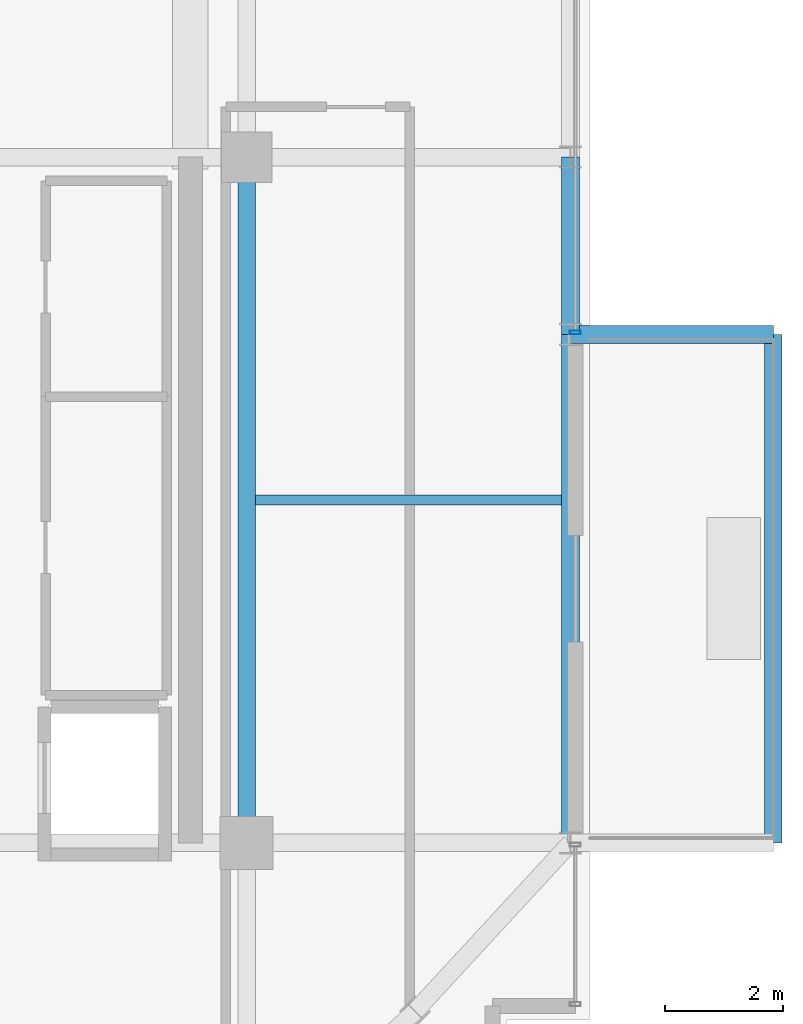
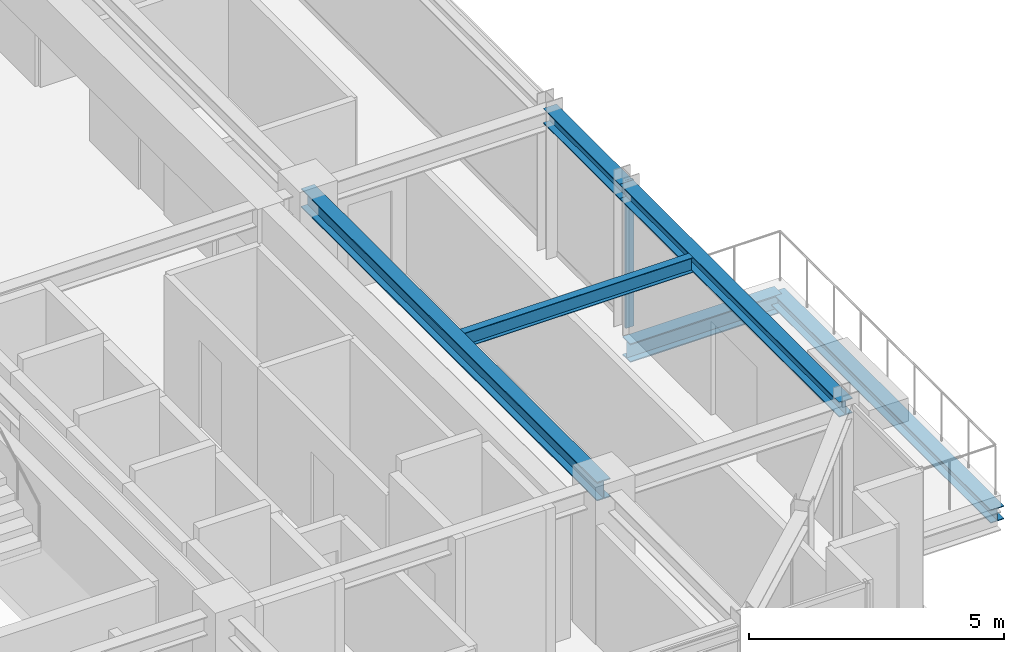
# One storey, part 13 of 31: 6 beams, 1 member, 1 element without a shape of its own.
"""IFC4 building model written with IfcOpenShell, lengths in metres."""

from ifc_helpers import new_model, si_unit, direction, frame, origin, origin_2d, place, context, subcontext, project, spatial, hollow_rectangle, i_section, extrude, source, transform, mapped, material, material_profile, profile_set, type_object, element, aggregate, save


model = new_model("IFC4")

# Units and contexts
model_context = context("Model", 3, precision=1e-05, world=origin(), true_north=direction((0.0, 1.0)))
body_context = subcontext(model_context, "Body", "Model", "MODEL_VIEW")
ifc_project = project(units=[si_unit("LENGTHUNIT", "METRE"), si_unit("AREAUNIT", "SQUARE_METRE"), si_unit("VOLUMEUNIT", "CUBIC_METRE"), si_unit("PLANEANGLEUNIT", "RADIAN"), si_unit("MASSUNIT", "GRAM", prefix="KILO")], contexts=[model_context])

# Site, building, storey
site_placement = place(None, origin())
site = spatial("IfcSite", under=ifc_project, at=site_placement, CompositionType="ELEMENT")
building_placement = place(site_placement, origin())
building = spatial("IfcBuilding", under=site, at=building_placement, Name="Nahalor Promenade Grand Hotel", CompositionType="ELEMENT")
storey_placement = place(building_placement, frame((0.0, 0.0, 327.14990234375)))
storey = spatial("IfcBuildingStorey", under=building, at=storey_placement, Name="L84", CompositionType="ELEMENT", Elevation=327.14990234375)

# Beams
ifc_material_1 = material(Name="Steel S355JR", Category="steel")
ifc_material_profile_1 = material_profile(ifc_material_1, i_section(OverallWidth=0.3, OverallDepth=0.32, WebThickness=0.0115, FlangeThickness=0.0205, at=origin_2d()), Name="HEB 320")
ifc_profile_set_1 = profile_set([ifc_material_profile_1], Name="Steel S355JR")
beam_type_1 = type_object("IfcBeamType", Name="Beam-BalcEdge-HEB320", PredefinedType="SPANDREL", material=ifc_profile_set_1)
shared_shape_1 = source(origin(), body_context, "Body", "SweptSolid", [
    extrude(i_section(OverallWidth=0.3, OverallDepth=0.32, WebThickness=0.0115, FlangeThickness=0.0205, at=origin_2d()), origin(), (0.0, 0.0, 1.0), 8.60009765625),
])
beam_1_placement = place(storey_placement, frame((25.909912109375, -17.0, -0.43994140625), z_axis=(0.0, 1.0, 0.0), x_axis=(-1.0, 0.0, 0.0)))
element("IfcBeam", 1, at=beam_1_placement, inside=storey, type_object=beam_type_1, Name="BM-L84-BC-02-F", PredefinedType="SPANDREL", context=body_context, shape_type="MappedRepresentation", body=[
    mapped(shared_shape_1, transform((0.0, 0.0, 0.0), scale=1.0)),
])
ifc_material_profile_2 = material_profile(ifc_material_1, i_section(OverallWidth=0.3, OverallDepth=0.45, WebThickness=0.014, FlangeThickness=0.026, at=origin_2d()), Name="HEB 450")
ifc_profile_set_2 = profile_set([ifc_material_profile_2], Name="Steel S355JR")
beam_type_2 = type_object("IfcBeamType", Name="Beam-Outrigger-HEB450", PredefinedType="BEAM", material=ifc_profile_set_2)
shared_shape_2 = source(origin(), body_context, "Body", "SweptSolid", [
    extrude(i_section(OverallWidth=0.3, OverallDepth=0.45, WebThickness=0.014, FlangeThickness=0.026, at=origin_2d()), origin(), (0.0, 0.0, 1.0), 3.429931640625),
])
beam_2_placement = place(storey_placement, frame((22.47998046875, -8.39990234375, -0.5048828125), z_axis=(1.0, 0.0, 0.0), x_axis=(0.0, 1.0, 0.0)))
element("IfcBeam", 2, at=beam_2_placement, inside=storey, type_object=beam_type_2, Name="BM-L84-BC-02-2", PredefinedType="BEAM", context=body_context, shape_type="MappedRepresentation", body=[
    mapped(shared_shape_2, transform((0.0, 0.0, 0.0), scale=1.0)),
])
ifc_material_profile_3 = material_profile(ifc_material_1, i_section(OverallWidth=0.3, OverallDepth=0.45, WebThickness=0.014, FlangeThickness=0.026, at=origin_2d()), Name="HEB 450")
ifc_profile_set_3 = profile_set([ifc_material_profile_3], Name="Steel S355JR")
beam_type_3 = type_object("IfcBeamType", Name="Beam-Girder-HEB450", PredefinedType="BEAM", material=ifc_profile_set_3)
shared_shape_3 = source(origin(), body_context, "Body", "SweptSolid", [
    extrude(i_section(OverallWidth=0.3, OverallDepth=0.45, WebThickness=0.014, FlangeThickness=0.026, at=origin_2d()), origin(), (0.0, 0.0, 1.0), 11.60009765625),
])
beam_3_placement = place(storey_placement, frame((17.0, -17.0, 3.275146484375), z_axis=(0.0, 1.0, 0.0), x_axis=(-1.0, 0.0, 0.0)))
element("IfcBeam", 3, at=beam_3_placement, inside=storey, type_object=beam_type_3, Name="BM-L84-GY-5-1", PredefinedType="BEAM", context=body_context, shape_type="MappedRepresentation", body=[
    mapped(shared_shape_3, transform((0.0, 0.0, 0.0), scale=1.0)),
])
ifc_material_profile_4 = material_profile(ifc_material_1, i_section(OverallWidth=0.3, OverallDepth=0.36, WebThickness=0.0125, FlangeThickness=0.0225, at=origin_2d()), Name="HEB 360")
ifc_profile_set_4 = profile_set([ifc_material_profile_4], Name="Steel S355JR")
beam_type_4 = type_object("IfcBeamType", Name="Beam-Spandrel-HEB360", PredefinedType="SPANDREL", material=ifc_profile_set_4)
shared_shape_4 = source(origin(), body_context, "Body", "SweptSolid", [
    extrude(i_section(OverallWidth=0.3, OverallDepth=0.36, WebThickness=0.0125, FlangeThickness=0.0225, at=origin_2d()), origin(), (0.0, 0.0, 1.0), 8.60009765625),
])
beam_4_placement = place(storey_placement, frame((22.47998046875, -17.0, 3.320068359375), z_axis=(0.0, 1.0, 0.0), x_axis=(-1.0, 0.0, 0.0)))
element("IfcBeam", 4, at=beam_4_placement, inside=storey, type_object=beam_type_4, Name="BM-L84-SP-E-0", PredefinedType="SPANDREL", context=body_context, shape_type="MappedRepresentation", body=[
    mapped(shared_shape_4, transform((0.0, 0.0, 0.0), scale=1.0)),
])
shared_shape_5 = source(origin(), body_context, "Body", "SweptSolid", [
    extrude(i_section(OverallWidth=0.3, OverallDepth=0.36, WebThickness=0.0125, FlangeThickness=0.0225, at=origin_2d()), origin(), (0.0, 0.0, 1.0), 3.0),
])
beam_5_placement = place(storey_placement, frame((22.47998046875, -8.39990234375, 3.320068359375), z_axis=(0.0, 1.0, 0.0), x_axis=(-1.0, 0.0, 0.0)))
element("IfcBeam", 5, at=beam_5_placement, inside=storey, type_object=beam_type_4, Name="BM-L84-SP-E-1", PredefinedType="SPANDREL", context=body_context, shape_type="MappedRepresentation", body=[
    mapped(shared_shape_5, transform((0.0, 0.0, 0.0), scale=1.0)),
])
ifc_material_profile_5 = material_profile(ifc_material_1, i_section(OverallWidth=0.17, OverallDepth=0.36, WebThickness=0.008, FlangeThickness=0.0127, at=origin_2d()), Name="IPE 360")
ifc_profile_set_5 = profile_set([ifc_material_profile_5], Name="Steel S355JR")
beam_type_5 = type_object("IfcBeamType", Name="Beam-Joist-IPE360", PredefinedType="JOIST", material=ifc_profile_set_5)
shared_shape_6 = source(origin(), body_context, "Body", "SweptSolid", [
    extrude(i_section(OverallWidth=0.17, OverallDepth=0.36, WebThickness=0.008, FlangeThickness=0.0127, at=origin_2d()), origin(), (0.0, 0.0, 1.0), 5.18017578125),
])
beam_6_placement = place(storey_placement, frame((17.14990234375, -11.199951171875, 3.320068359375), z_axis=(1.0, 0.0, 0.0), x_axis=(0.0, 1.0, 0.0)))
element("IfcBeam", 6, at=beam_6_placement, inside=storey, type_object=beam_type_5, Name="BM-L84-JSE-0-2", PredefinedType="JOIST", context=body_context, shape_type="MappedRepresentation", body=[
    mapped(shared_shape_6, transform((0.0, 0.0, 0.0), scale=1.0)),
])

# Curtain wall, member
ifc_material_2 = material(Name="Anodised Bronze Aluminium EN AW-6063 T6", Category="aluminium")
curtain_wall_type = type_object("IfcCurtainWallType", Name="CW2 Typical Hotel Flush Bronze Unitised Curtain Wall", PredefinedType="USERDEFINED", material=ifc_material_2)
curtain_wall_placement = place(storey_placement, origin())
curtain_wall = element("IfcCurtainWall", 7, at=curtain_wall_placement, inside=storey, type_object=curtain_wall_type, Name="L84 Curtain Wall CW-L84-E-3", ObjectType="UNITISED_CURTAIN_WALL", PredefinedType="USERDEFINED")
ifc_material_profile_6 = material_profile(ifc_material_2, hollow_rectangle(XDim=0.065, YDim=0.18, WallThickness=0.004, at=origin_2d()), Name="CWM 65x180x4")
ifc_profile_set_6 = profile_set([ifc_material_profile_6], Name="Anodised Bronze Aluminium EN AW-6063 T6")
member_type = type_object("IfcMemberType", Name="CWM2 Typical Bronze Mullion 65x180", PredefinedType="MULLION", material=ifc_profile_set_6)
shared_shape_7 = source(origin(), body_context, "Body", "SweptSolid", [
    extrude(hollow_rectangle(XDim=0.065, YDim=0.18, WallThickness=0.004, at=origin_2d()), origin(), (0.0, 0.0, 1.0), 3.5),
])
member_placement = place(storey_placement, frame((22.56005859375, -8.367431640625, 0.0), z_axis=(0.0, 0.0, 1.0), x_axis=(0.0, 1.0, 0.0)))
member = element("IfcMember", 8, at=member_placement, type_object=member_type, Name="CW-L84-E-3 Mullion 0", PredefinedType="MULLION", context=body_context, shape_type="MappedRepresentation", body=[
    mapped(shared_shape_7, transform((0.0, 0.0, 0.0), scale=1.0)),
])
aggregate(curtain_wall, [member])

save(model, "model.ifc")
